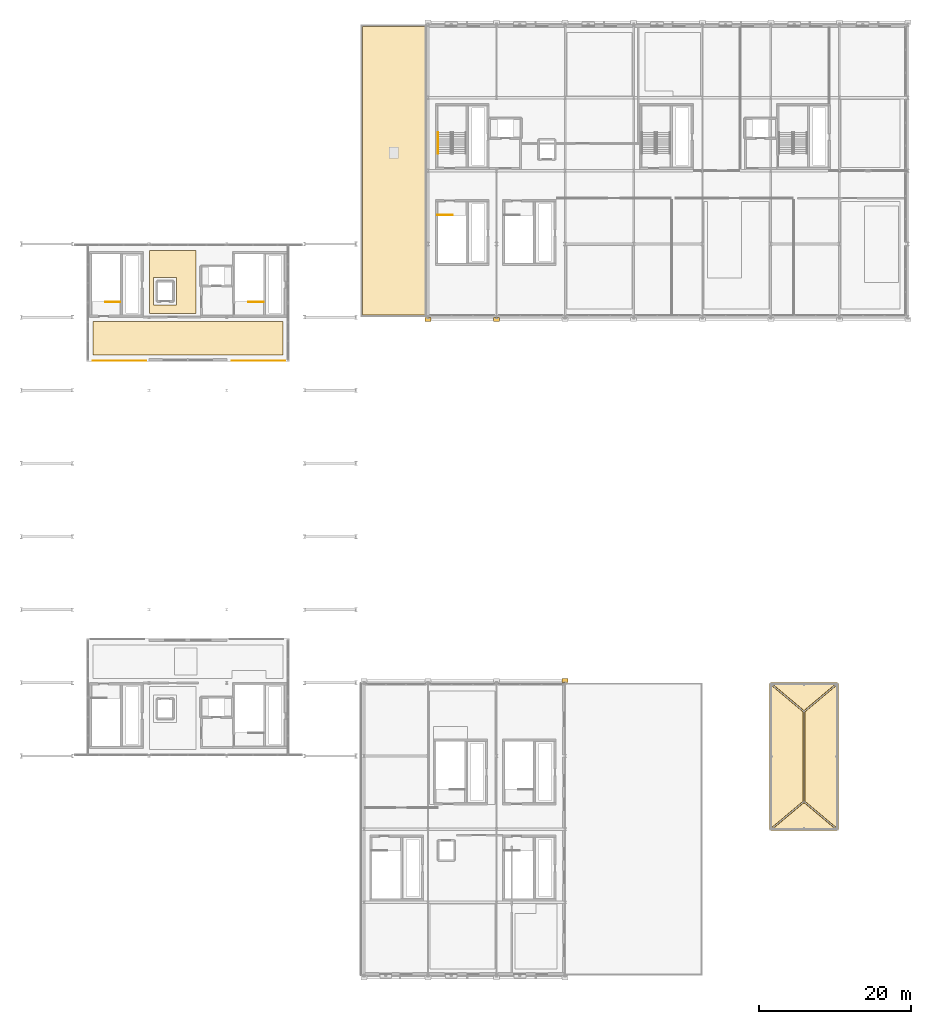
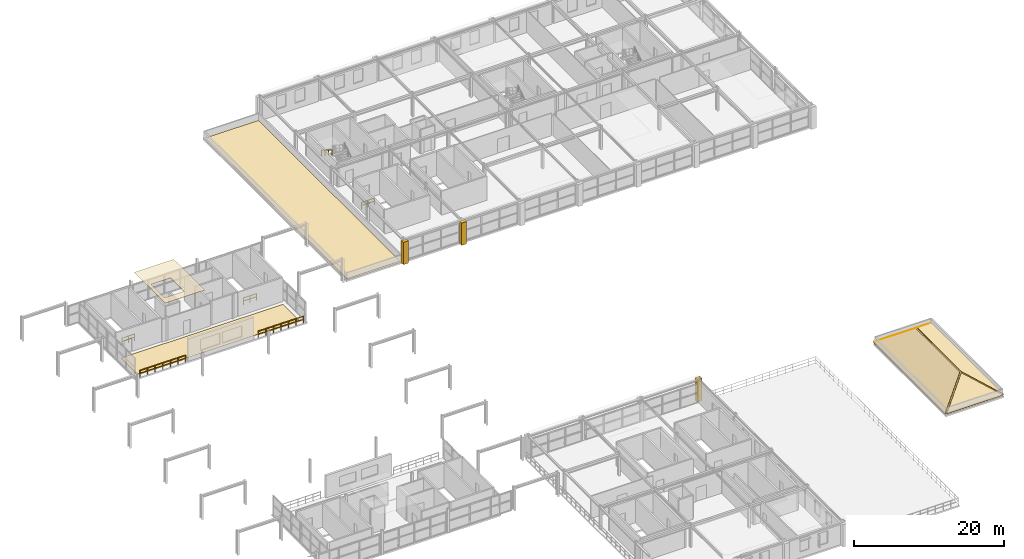
# One storey, part 47 of 52: 11 coverings, 6 railings.
"""IFC4 building model written with IfcOpenShell, lengths in metres."""

from ifc_helpers import new_model, si_unit, direction, frame, origin, origin_2d, place, context, subcontext, project, spatial, polyline, rectangle, outline, extrude, material, layer, layer_set, type_object, element, save


model = new_model("IFC4")

# Units and contexts
model_context = context("Model", 3, precision=1e-05, world=origin(), true_north=direction((0.0, 1.0)))
body_context = subcontext(model_context, "Body", "Model", "MODEL_VIEW")
ifc_project = project(units=[si_unit("LENGTHUNIT", "METRE"), si_unit("AREAUNIT", "SQUARE_METRE"), si_unit("VOLUMEUNIT", "CUBIC_METRE"), si_unit("PLANEANGLEUNIT", "RADIAN"), si_unit("MASSUNIT", "GRAM", prefix="KILO")], contexts=[model_context])

# Site, building, storey
site_placement = place(None, origin())
site = spatial("IfcSite", under=ifc_project, at=site_placement, CompositionType="ELEMENT")
building_placement = place(site_placement, origin())
building = spatial("IfcBuilding", under=site, at=building_placement, Name="Myrtia Square Station", CompositionType="ELEMENT")
storey_placement = place(building_placement, frame((0.0, 0.0, 15.0)))
storey = spatial("IfcBuildingStorey", under=building, at=storey_placement, Name="L03", CompositionType="ELEMENT", Elevation=15.0)

# Coverings
ifc_material_1 = material(Name="Pentelic marble ashlar", Category="masonry")
ifc_layer_1 = layer(ifc_material_1, 0.4599609375, Name="Pentelic marble ashlar")
ifc_layer_set_1 = layer_set([ifc_layer_1], Name="Pentelic marble ashlar")
covering_type_1 = type_object("IfcCoveringType", Name="COV-ARCH-ASHLAR", PredefinedType="CLADDING", material=ifc_layer_set_1)
for number, where, z_axis, x_axis, name in (
    (1, (144.0, 38.719970703125, -0.0400390625), (0.0, 0.0, 1.0), (1.0, 0.0, 0.0), "Classical Pentelic ashlar pilaster 031"),
    (2, (126.0, 86.080078125, -0.0400390625), (0.0, 0.0, 1.0), (1.0, 0.0, 0.0), "Classical Pentelic ashlar pilaster 065"),
    (3, (135.0, 86.080078125, -0.0400390625), (0.0, 0.0, 1.0), (1.0, 0.0, 0.0), "Classical Pentelic ashlar pilaster 074"),
):
    element("IfcCovering", number, at=place(storey_placement, frame(where, z_axis=z_axis, x_axis=x_axis)), inside=storey, type_object=covering_type_1, Name=name, PredefinedType="CLADDING", context=body_context, shape_type="SweptSolid", body=[
        extrude(rectangle(XDim=0.780029296875, YDim=0.56005859375, at=origin_2d()), origin(), (0.0, 0.0, 1.0), 3.639892578125),
    ])
ifc_material_2 = material(Name="Acoustic European oak timber", Category="wood")
ifc_layer_2 = layer(ifc_material_2, 0.044921875, Name="Acoustic European oak timber")
ifc_layer_set_2 = layer_set([ifc_layer_2], Name="Acoustic European oak timber")
covering_type_2 = type_object("IfcCoveringType", Name="COV-CEIL-OAK", PredefinedType="CEILING", material=ifc_layer_set_2)
covering_1_placement = place(storey_placement, frame((0.0, 0.0, 5.675048828125)))
element("IfcCovering", 4, at=covering_1_placement, inside=storey, type_object=covering_type_2, Name="Acoustic coffer ceiling L03-02", PredefinedType="CEILING", context=body_context, shape_type="SweptSolid", body=[
    extrude(outline(polyline([(95.550048828125, 95.14990234375), (95.550048828125, 86.85009765625), (89.449951171875, 86.85009765625), (89.449951171875, 95.14990234375), (95.550048828125, 95.14990234375)]), holes=[polyline([(90.0, 91.60009765625), (90.0, 88.0), (93.0, 88.0), (93.0, 91.60009765625), (90.0, 91.60009765625)])]), origin(), (0.0, 0.0, 1.0), 0.044921875),
])
ifc_material_3 = material(Name="Terrazzo stone tile", Category="masonry")
ifc_layer_3 = layer(ifc_material_3, 0.02490234375, Name="Terrazzo stone tile")
ifc_layer_set_3 = layer_set([ifc_layer_3], Name="Terrazzo stone tile")
covering_type_3 = type_object("IfcCoveringType", Name="COV-FLR-TERRAZZO", PredefinedType="FLOORING", material=ifc_layer_set_3)
covering_2_placement = place(storey_placement, origin())
element("IfcCovering", 5, at=covering_2_placement, inside=storey, type_object=covering_type_3, Name="Terrazzo concourse flooring L03-C2", PredefinedType="FLOORING", context=body_context, shape_type="SweptSolid", body=[
    extrude(outline(polyline([(82.0, 85.800048828125), (107.0, 85.800048828125), (107.0, 81.39990234375), (82.0, 81.39990234375), (82.0, 85.800048828125)])), origin(), (0.0, 0.0, 1.0), 0.02490234375),
])
ifc_material_4 = material(Name="Waterproof elastomeric membrane")
ifc_layer_4 = layer(ifc_material_4, 0.044921875, Name="Waterproof elastomeric membrane")
ifc_layer_set_4 = layer_set([ifc_layer_4], Name="Waterproof elastomeric membrane")
covering_type_4 = type_object("IfcCoveringType", Name="COV-MEMB-FLAT", PredefinedType="ROOFING", material=ifc_layer_set_4)
covering_3_placement = place(storey_placement, origin())
element("IfcCovering", 6, at=covering_3_placement, inside=storey, type_object=covering_type_4, Name="Flat roof waterproof membrane ROOF-L03-V5W", PredefinedType="ROOFING", context=body_context, shape_type="SweptSolid", body=[
    extrude(outline(polyline([(117.39990234375, 86.64990234375), (125.60009765625, 86.64990234375), (125.60009765625, 124.550048828125), (117.39990234375, 124.550048828125), (117.39990234375, 86.64990234375)])), origin(), (0.0, 0.0, 1.0), 0.044921875),
])
covering_4_placement = place(storey_placement, origin())
element("IfcCovering", 7, at=covering_4_placement, inside=storey, type_object=covering_type_4, Name="Flat roof waterproof membrane ROOF-L03-V4BELV", PredefinedType="ROOFING", context=body_context, shape_type="SweptSolid", body=[
    extrude(outline(polyline([(171.10009765625, 19.300048828125), (179.60009765625, 19.300048828125), (179.60009765625, 38.14990234375), (171.10009765625, 38.14990234375), (171.10009765625, 19.300048828125)])), origin(), (0.0, 0.0, 1.0), 0.044921875),
])
ifc_material_5 = material(Name="Terracotta clay barrel tiles", Category="masonry")
ifc_layer_5 = layer(ifc_material_5, 0.06494140625, Name="Terracotta clay barrel tiles")
ifc_layer_set_5 = layer_set([ifc_layer_5], Name="Terracotta clay barrel tiles")
covering_type_5 = type_object("IfcCoveringType", Name="COV-TILE-TERRACOTTA", PredefinedType="ROOFING", material=ifc_layer_set_5)
for number, where, z_axis, x_axis, name in (
    (8, (170.8134765625, 38.2890625, 0.245849609375), (-0.560771203524, 0.0, 0.827970807032), (0.0, -1.0, 0.0), "Terracotta clay barrel-tile roofing 103"),
    (9, (179.886474609375, 19.160888671875, 0.245849609375), (0.560771203524, 0.0, 0.827970807032), (0.0, 1.0, 0.0), "Terracotta clay barrel-tile roofing 104"),
):
    element("IfcCovering", number, at=place(storey_placement, frame(where, z_axis=z_axis, x_axis=x_axis)), inside=storey, type_object=covering_type_5, Name=name, PredefinedType="ROOFING", context=body_context, shape_type="SweptSolid", body=[
        extrude(outline(polyline([(0.0, 0.0), (19.128173828125, 0.0), (15.41943359375, 5.3323607849462435), (3.708740234375, 5.3323607849462435), (0.0, 0.0)])), origin(), (0.0, 0.0, -1.0), 0.06494140625),
    ])
covering_5_placement = place(storey_placement, frame((170.982177734375, 19.00927734375, 0.24267578125), z_axis=(0.0, -0.627709926083, 0.778447332), x_axis=(1.0, 0.0, 0.0)))
element("IfcCovering", 10, at=covering_5_placement, inside=storey, type_object=covering_type_5, Name="Terracotta clay barrel-tile roofing 105", PredefinedType="ROOFING", context=body_context, shape_type="SweptSolid", body=[
    extrude(outline(polyline([(0.0, 0.0), (8.735595703125, 0.0), (4.367919921875, 4.713158054091728), (0.0, 0.0)])), origin(), (0.0, 0.0, -1.0), 0.06494140625),
])
covering_6_placement = place(storey_placement, frame((179.7177734375, 38.44091796875, 0.24267578125), z_axis=(0.0, 0.627684615365, 0.778467740908), x_axis=(-1.0, 0.0, 0.0)))
element("IfcCovering", 11, at=covering_6_placement, inside=storey, type_object=covering_type_5, Name="Terracotta clay barrel-tile roofing 106", PredefinedType="ROOFING", context=body_context, shape_type="SweptSolid", body=[
    extrude(outline(polyline([(0.0, 0.0), (8.735595703125, 0.0), (4.36767578125, 4.7133481072012655), (0.0, 0.0)])), origin(), (0.0, 0.0, -1.0), 0.06494140625),
])

# Railings
ifc_material_6 = material(Name="Dark bronze anodised aluminium", Category="aluminium")
railing_type_1 = type_object("IfcRailingType", Name="RL-HANDRAIL-900", PredefinedType="HANDRAIL", material=ifc_material_6)
railing_1_placement = place(storey_placement, frame((127.300048828125, 110.64990234375, 2.127197265625)))
element("IfcRailing", 12, at=railing_1_placement, inside=storey, type_object=railing_type_1, Name="L03 ST07 stair handrail 2", PredefinedType="HANDRAIL", context=body_context, shape_type="SweptSolid", body=[
    extrude(rectangle(XDim=0.048095703125, YDim=0.048095703125, at=origin_2d()), frame((0.0, -0.029296875, 0.894287109375), z_axis=(0.0, -0.844887892834, 0.53494340686), x_axis=(1.0, 0.0, 0.0)), (0.0, 0.0, 1.0), 1.035400390625),
    extrude(rectangle(XDim=0.048095703125, YDim=0.048095703125, at=origin_2d()), frame((0.0, -0.962646484375, 1.4853515625), z_axis=(0.0, -0.844887892834, 0.53494340686), x_axis=(1.0, 0.0, 0.0)), (0.0, 0.0, 1.0), 1.035400390625),
    extrude(rectangle(XDim=0.048095703125, YDim=0.048095703125, at=origin_2d()), frame((0.0, -1.895751953125, 2.076171875), z_axis=(0.0, -0.844887892834, 0.53494340686), x_axis=(1.0, 0.0, 0.0)), (0.0, 0.0, 1.0), 1.035400390625),
    extrude(rectangle(XDim=0.0439453125, YDim=0.0439453125, at=origin_2d()), origin(), (0.0, 0.0, 1.0), 0.89990234375),
    extrude(rectangle(XDim=0.0439453125, YDim=0.0439453125, at=origin_2d()), frame((0.0, -0.933349609375, 0.5908203125)), (0.0, 0.0, 1.0), 0.89990234375),
    extrude(rectangle(XDim=0.0439453125, YDim=0.0439453125, at=origin_2d()), frame((0.0, -1.866455078125, 1.181884765625)), (0.0, 0.0, 1.0), 0.89990234375),
    extrude(rectangle(XDim=0.0439453125, YDim=0.0439453125, at=origin_2d()), frame((0.0, -2.7998046875, 1.772705078125)), (0.0, 0.0, 1.0), 0.89990234375),
])
ifc_material_7 = material(Name="Wrought iron", Category="steel")
railing_type_2 = type_object("IfcRailingType", Name="RL-INT-GUARD-1100", PredefinedType="BALUSTRADE", material=ifc_material_7)
railing_2_placement = place(storey_placement, frame((85.610107421875, 88.39990234375, 0.0)))
element("IfcRailing", 13, at=railing_2_placement, inside=storey, type_object=railing_type_2, Name="L03 ST02 top well guard 1", PredefinedType="BALUSTRADE", context=body_context, shape_type="SweptSolid", body=[
    extrude(rectangle(XDim=0.048095703125, YDim=0.048095703125, at=origin_2d()), frame((-0.03466796875, 0.0, 1.09619140625), z_axis=(-1.0, 0.0, 0.0), x_axis=(0.0, -1.0, 0.0)), (0.0, 0.0, 1.0), 0.910888671875),
    extrude(rectangle(XDim=0.048095703125, YDim=0.048095703125, at=origin_2d()), frame((-0.03466796875, 0.0, 0.58251953125), z_axis=(-1.0, 0.0, 0.0), x_axis=(0.0, -1.0, 0.0)), (0.0, 0.0, 1.0), 0.910888671875),
    extrude(rectangle(XDim=0.048095703125, YDim=0.048095703125, at=origin_2d()), frame((-1.0146484375, 0.0, 1.09619140625), z_axis=(-1.0, 0.0, 0.0), x_axis=(0.0, -1.0, 0.0)), (0.0, 0.0, 1.0), 0.910888671875),
    extrude(rectangle(XDim=0.048095703125, YDim=0.048095703125, at=origin_2d()), frame((-1.0146484375, 0.0, 0.58251953125), z_axis=(-1.0, 0.0, 0.0), x_axis=(0.0, -1.0, 0.0)), (0.0, 0.0, 1.0), 0.910888671875),
    extrude(rectangle(XDim=0.0439453125, YDim=0.0439453125, at=origin_2d()), origin(), (0.0, 0.0, 1.0), 1.1201171875),
    extrude(rectangle(XDim=0.0439453125, YDim=0.0439453125, at=origin_2d()), frame((-0.97998046875, 0.0, 0.0)), (0.0, 0.0, 1.0), 1.1201171875),
    extrude(rectangle(XDim=0.0439453125, YDim=0.0439453125, at=origin_2d()), frame((-1.960205078125, 0.0, 0.0)), (0.0, 0.0, 1.0), 1.1201171875),
])
railing_3_placement = place(storey_placement, frame((104.409912109375, 88.39990234375, 0.0)))
element("IfcRailing", 14, at=railing_3_placement, inside=storey, type_object=railing_type_2, Name="L03 ST04 top well guard 1", PredefinedType="BALUSTRADE", context=body_context, shape_type="SweptSolid", body=[
    extrude(rectangle(XDim=0.048095703125, YDim=0.048095703125, at=origin_2d()), frame((-0.03466796875, 0.0, 1.09619140625), z_axis=(-1.0, 0.0, 0.0), x_axis=(0.0, -1.0, 0.0)), (0.0, 0.0, 1.0), 0.91064453125),
    extrude(rectangle(XDim=0.048095703125, YDim=0.048095703125, at=origin_2d()), frame((-0.03466796875, 0.0, 0.58251953125), z_axis=(-1.0, 0.0, 0.0), x_axis=(0.0, -1.0, 0.0)), (0.0, 0.0, 1.0), 0.91064453125),
    extrude(rectangle(XDim=0.048095703125, YDim=0.048095703125, at=origin_2d()), frame((-1.0146484375, 0.0, 1.09619140625), z_axis=(-1.0, 0.0, 0.0), x_axis=(0.0, -1.0, 0.0)), (0.0, 0.0, 1.0), 0.91064453125),
    extrude(rectangle(XDim=0.048095703125, YDim=0.048095703125, at=origin_2d()), frame((-1.0146484375, 0.0, 0.58251953125), z_axis=(-1.0, 0.0, 0.0), x_axis=(0.0, -1.0, 0.0)), (0.0, 0.0, 1.0), 0.91064453125),
    extrude(rectangle(XDim=0.0439453125, YDim=0.0439453125, at=origin_2d()), origin(), (0.0, 0.0, 1.0), 1.1201171875),
    extrude(rectangle(XDim=0.0439453125, YDim=0.0439453125, at=origin_2d()), frame((-0.97998046875, 0.0, 0.0)), (0.0, 0.0, 1.0), 1.1201171875),
    extrude(rectangle(XDim=0.0439453125, YDim=0.0439453125, at=origin_2d()), frame((-1.9599609375, 0.0, 0.0)), (0.0, 0.0, 1.0), 1.1201171875),
])
railing_4_placement = place(storey_placement, frame((127.25, 99.800048828125, 0.0)))
element("IfcRailing", 15, at=railing_4_placement, inside=storey, type_object=railing_type_2, Name="L03 ST12 top well guard 1", PredefinedType="BALUSTRADE", context=body_context, shape_type="SweptSolid", body=[
    extrude(rectangle(XDim=0.048095703125, YDim=0.048095703125, at=origin_2d()), frame((0.03466796875, 0.0, 1.09619140625), z_axis=(1.0, 0.0, 0.0), x_axis=(0.0, 1.0, 0.0)), (0.0, 0.0, 1.0), 0.91064453125),
    extrude(rectangle(XDim=0.048095703125, YDim=0.048095703125, at=origin_2d()), frame((0.03466796875, 0.0, 0.58251953125), z_axis=(1.0, 0.0, 0.0), x_axis=(0.0, 1.0, 0.0)), (0.0, 0.0, 1.0), 0.91064453125),
    extrude(rectangle(XDim=0.048095703125, YDim=0.048095703125, at=origin_2d()), frame((1.0146484375, 0.0, 1.09619140625), z_axis=(1.0, 0.0, 0.0), x_axis=(0.0, 1.0, 0.0)), (0.0, 0.0, 1.0), 0.91064453125),
    extrude(rectangle(XDim=0.048095703125, YDim=0.048095703125, at=origin_2d()), frame((1.0146484375, 0.0, 0.58251953125), z_axis=(1.0, 0.0, 0.0), x_axis=(0.0, 1.0, 0.0)), (0.0, 0.0, 1.0), 0.91064453125),
    extrude(rectangle(XDim=0.0439453125, YDim=0.0439453125, at=origin_2d()), origin(), (0.0, 0.0, 1.0), 1.1201171875),
    extrude(rectangle(XDim=0.0439453125, YDim=0.0439453125, at=origin_2d()), frame((0.97998046875, 0.0, 0.0)), (0.0, 0.0, 1.0), 1.1201171875),
    extrude(rectangle(XDim=0.0439453125, YDim=0.0439453125, at=origin_2d()), frame((1.9599609375, 0.0, 0.0)), (0.0, 0.0, 1.0), 1.1201171875),
])
railing_5_placement = place(storey_placement, frame((82.0, 80.679931640625, 0.0)))
element("IfcRailing", 16, at=railing_5_placement, inside=storey, type_object=railing_type_2, Name="Perimeter slab edge balustrade L03-060", PredefinedType="BALUSTRADE", context=body_context, shape_type="SweptSolid", body=[
    extrude(rectangle(XDim=0.048095703125, YDim=0.048095703125, at=origin_2d()), frame((0.03466796875, 0.0, 1.09619140625), z_axis=(1.0, 0.0, 0.0), x_axis=(0.0, 1.0, 0.0)), (0.0, 0.0, 1.0), 1.097412109375),
    extrude(rectangle(XDim=0.048095703125, YDim=0.048095703125, at=origin_2d()), frame((0.03466796875, 0.0, 0.58251953125), z_axis=(1.0, 0.0, 0.0), x_axis=(0.0, 1.0, 0.0)), (0.0, 0.0, 1.0), 1.097412109375),
    extrude(rectangle(XDim=0.048095703125, YDim=0.048095703125, at=origin_2d()), frame((1.201416015625, 0.0, 1.09619140625), z_axis=(1.0, 0.0, 0.0), x_axis=(0.0, 1.0, 0.0)), (0.0, 0.0, 1.0), 1.097412109375),
    extrude(rectangle(XDim=0.048095703125, YDim=0.048095703125, at=origin_2d()), frame((1.201416015625, 0.0, 0.58251953125), z_axis=(1.0, 0.0, 0.0), x_axis=(0.0, 1.0, 0.0)), (0.0, 0.0, 1.0), 1.097412109375),
    extrude(rectangle(XDim=0.048095703125, YDim=0.048095703125, at=origin_2d()), frame((2.367919921875, 0.0, 1.09619140625), z_axis=(1.0, 0.0, 0.0), x_axis=(0.0, 1.0, 0.0)), (0.0, 0.0, 1.0), 1.097412109375),
    extrude(rectangle(XDim=0.048095703125, YDim=0.048095703125, at=origin_2d()), frame((2.367919921875, 0.0, 0.58251953125), z_axis=(1.0, 0.0, 0.0), x_axis=(0.0, 1.0, 0.0)), (0.0, 0.0, 1.0), 1.097412109375),
    extrude(rectangle(XDim=0.048095703125, YDim=0.048095703125, at=origin_2d()), frame((3.53466796875, 0.0, 1.09619140625), z_axis=(1.0, 0.0, 0.0), x_axis=(0.0, 1.0, 0.0)), (0.0, 0.0, 1.0), 1.097412109375),
    extrude(rectangle(XDim=0.048095703125, YDim=0.048095703125, at=origin_2d()), frame((3.53466796875, 0.0, 0.58251953125), z_axis=(1.0, 0.0, 0.0), x_axis=(0.0, 1.0, 0.0)), (0.0, 0.0, 1.0), 1.097412109375),
    extrude(rectangle(XDim=0.048095703125, YDim=0.048095703125, at=origin_2d()), frame((4.701416015625, 0.0, 1.09619140625), z_axis=(1.0, 0.0, 0.0), x_axis=(0.0, 1.0, 0.0)), (0.0, 0.0, 1.0), 1.097412109375),
    extrude(rectangle(XDim=0.048095703125, YDim=0.048095703125, at=origin_2d()), frame((4.701416015625, 0.0, 0.58251953125), z_axis=(1.0, 0.0, 0.0), x_axis=(0.0, 1.0, 0.0)), (0.0, 0.0, 1.0), 1.097412109375),
    extrude(rectangle(XDim=0.048095703125, YDim=0.048095703125, at=origin_2d()), frame((5.867919921875, 0.0, 1.09619140625), z_axis=(1.0, 0.0, 0.0), x_axis=(0.0, 1.0, 0.0)), (0.0, 0.0, 1.0), 1.097412109375),
    extrude(rectangle(XDim=0.048095703125, YDim=0.048095703125, at=origin_2d()), frame((5.867919921875, 0.0, 0.58251953125), z_axis=(1.0, 0.0, 0.0), x_axis=(0.0, 1.0, 0.0)), (0.0, 0.0, 1.0), 1.097412109375),
    extrude(rectangle(XDim=0.0439453125, YDim=0.0439453125, at=origin_2d()), origin(), (0.0, 0.0, 1.0), 1.1201171875),
    extrude(rectangle(XDim=0.0439453125, YDim=0.0439453125, at=origin_2d()), frame((1.166748046875, 0.0, 0.0)), (0.0, 0.0, 1.0), 1.1201171875),
    extrude(rectangle(XDim=0.0439453125, YDim=0.0439453125, at=origin_2d()), frame((2.333251953125, 0.0, 0.0)), (0.0, 0.0, 1.0), 1.1201171875),
    extrude(rectangle(XDim=0.0439453125, YDim=0.0439453125, at=origin_2d()), frame((3.5, 0.0, 0.0)), (0.0, 0.0, 1.0), 1.1201171875),
    extrude(rectangle(XDim=0.0439453125, YDim=0.0439453125, at=origin_2d()), frame((4.666748046875, 0.0, 0.0)), (0.0, 0.0, 1.0), 1.1201171875),
    extrude(rectangle(XDim=0.0439453125, YDim=0.0439453125, at=origin_2d()), frame((5.833251953125, 0.0, 0.0)), (0.0, 0.0, 1.0), 1.1201171875),
    extrude(rectangle(XDim=0.0439453125, YDim=0.0439453125, at=origin_2d()), frame((7.0, 0.0, 0.0)), (0.0, 0.0, 1.0), 1.1201171875),
])
railing_6_placement = place(storey_placement, frame((100.25, 80.679931640625, 0.0)))
element("IfcRailing", 17, at=railing_6_placement, inside=storey, type_object=railing_type_2, Name="Perimeter slab edge balustrade L03-061", PredefinedType="BALUSTRADE", context=body_context, shape_type="SweptSolid", body=[
    extrude(rectangle(XDim=0.048095703125, YDim=0.048095703125, at=origin_2d()), frame((0.03466796875, 0.0, 1.09619140625), z_axis=(1.0, 0.0, 0.0), x_axis=(0.0, 1.0, 0.0)), (0.0, 0.0, 1.0), 1.097412109375),
    extrude(rectangle(XDim=0.048095703125, YDim=0.048095703125, at=origin_2d()), frame((0.03466796875, 0.0, 0.58251953125), z_axis=(1.0, 0.0, 0.0), x_axis=(0.0, 1.0, 0.0)), (0.0, 0.0, 1.0), 1.097412109375),
    extrude(rectangle(XDim=0.048095703125, YDim=0.048095703125, at=origin_2d()), frame((1.201416015625, 0.0, 1.09619140625), z_axis=(1.0, 0.0, 0.0), x_axis=(0.0, 1.0, 0.0)), (0.0, 0.0, 1.0), 1.097412109375),
    extrude(rectangle(XDim=0.048095703125, YDim=0.048095703125, at=origin_2d()), frame((1.201416015625, 0.0, 0.58251953125), z_axis=(1.0, 0.0, 0.0), x_axis=(0.0, 1.0, 0.0)), (0.0, 0.0, 1.0), 1.097412109375),
    extrude(rectangle(XDim=0.048095703125, YDim=0.048095703125, at=origin_2d()), frame((2.367919921875, 0.0, 1.09619140625), z_axis=(1.0, 0.0, 0.0), x_axis=(0.0, 1.0, 0.0)), (0.0, 0.0, 1.0), 1.097412109375),
    extrude(rectangle(XDim=0.048095703125, YDim=0.048095703125, at=origin_2d()), frame((2.367919921875, 0.0, 0.58251953125), z_axis=(1.0, 0.0, 0.0), x_axis=(0.0, 1.0, 0.0)), (0.0, 0.0, 1.0), 1.097412109375),
    extrude(rectangle(XDim=0.048095703125, YDim=0.048095703125, at=origin_2d()), frame((3.53466796875, 0.0, 1.09619140625), z_axis=(1.0, 0.0, 0.0), x_axis=(0.0, 1.0, 0.0)), (0.0, 0.0, 1.0), 1.097412109375),
    extrude(rectangle(XDim=0.048095703125, YDim=0.048095703125, at=origin_2d()), frame((3.53466796875, 0.0, 0.58251953125), z_axis=(1.0, 0.0, 0.0), x_axis=(0.0, 1.0, 0.0)), (0.0, 0.0, 1.0), 1.097412109375),
    extrude(rectangle(XDim=0.048095703125, YDim=0.048095703125, at=origin_2d()), frame((4.701416015625, 0.0, 1.09619140625), z_axis=(1.0, 0.0, 0.0), x_axis=(0.0, 1.0, 0.0)), (0.0, 0.0, 1.0), 1.097412109375),
    extrude(rectangle(XDim=0.048095703125, YDim=0.048095703125, at=origin_2d()), frame((4.701416015625, 0.0, 0.58251953125), z_axis=(1.0, 0.0, 0.0), x_axis=(0.0, 1.0, 0.0)), (0.0, 0.0, 1.0), 1.097412109375),
    extrude(rectangle(XDim=0.048095703125, YDim=0.048095703125, at=origin_2d()), frame((5.867919921875, 0.0, 1.09619140625), z_axis=(1.0, 0.0, 0.0), x_axis=(0.0, 1.0, 0.0)), (0.0, 0.0, 1.0), 1.097412109375),
    extrude(rectangle(XDim=0.048095703125, YDim=0.048095703125, at=origin_2d()), frame((5.867919921875, 0.0, 0.58251953125), z_axis=(1.0, 0.0, 0.0), x_axis=(0.0, 1.0, 0.0)), (0.0, 0.0, 1.0), 1.097412109375),
    extrude(rectangle(XDim=0.0439453125, YDim=0.0439453125, at=origin_2d()), origin(), (0.0, 0.0, 1.0), 1.1201171875),
    extrude(rectangle(XDim=0.0439453125, YDim=0.0439453125, at=origin_2d()), frame((1.166748046875, 0.0, 0.0)), (0.0, 0.0, 1.0), 1.1201171875),
    extrude(rectangle(XDim=0.0439453125, YDim=0.0439453125, at=origin_2d()), frame((2.333251953125, 0.0, 0.0)), (0.0, 0.0, 1.0), 1.1201171875),
    extrude(rectangle(XDim=0.0439453125, YDim=0.0439453125, at=origin_2d()), frame((3.5, 0.0, 0.0)), (0.0, 0.0, 1.0), 1.1201171875),
    extrude(rectangle(XDim=0.0439453125, YDim=0.0439453125, at=origin_2d()), frame((4.666748046875, 0.0, 0.0)), (0.0, 0.0, 1.0), 1.1201171875),
    extrude(rectangle(XDim=0.0439453125, YDim=0.0439453125, at=origin_2d()), frame((5.833251953125, 0.0, 0.0)), (0.0, 0.0, 1.0), 1.1201171875),
    extrude(rectangle(XDim=0.0439453125, YDim=0.0439453125, at=origin_2d()), frame((7.0, 0.0, 0.0)), (0.0, 0.0, 1.0), 1.1201171875),
])

save(model, "model.ifc")
